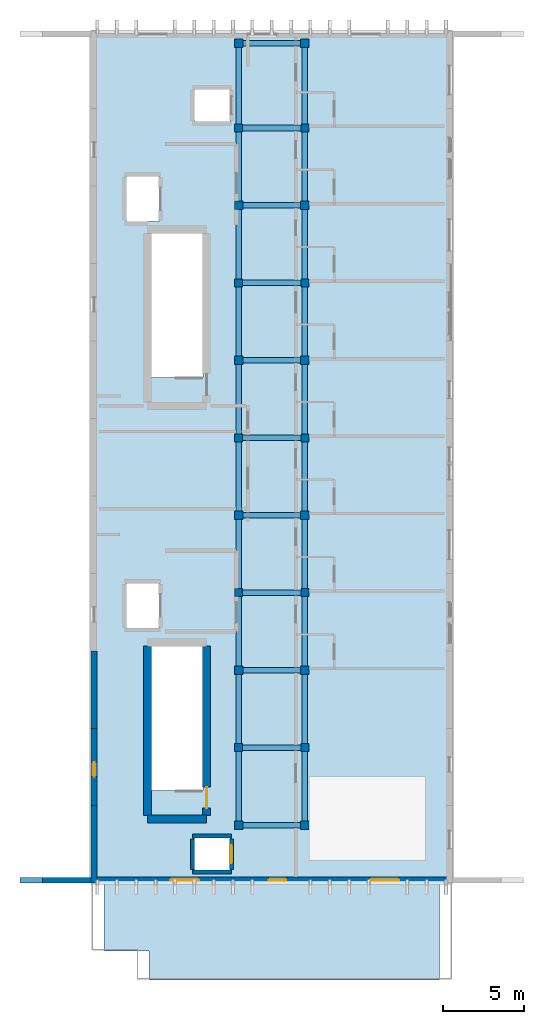
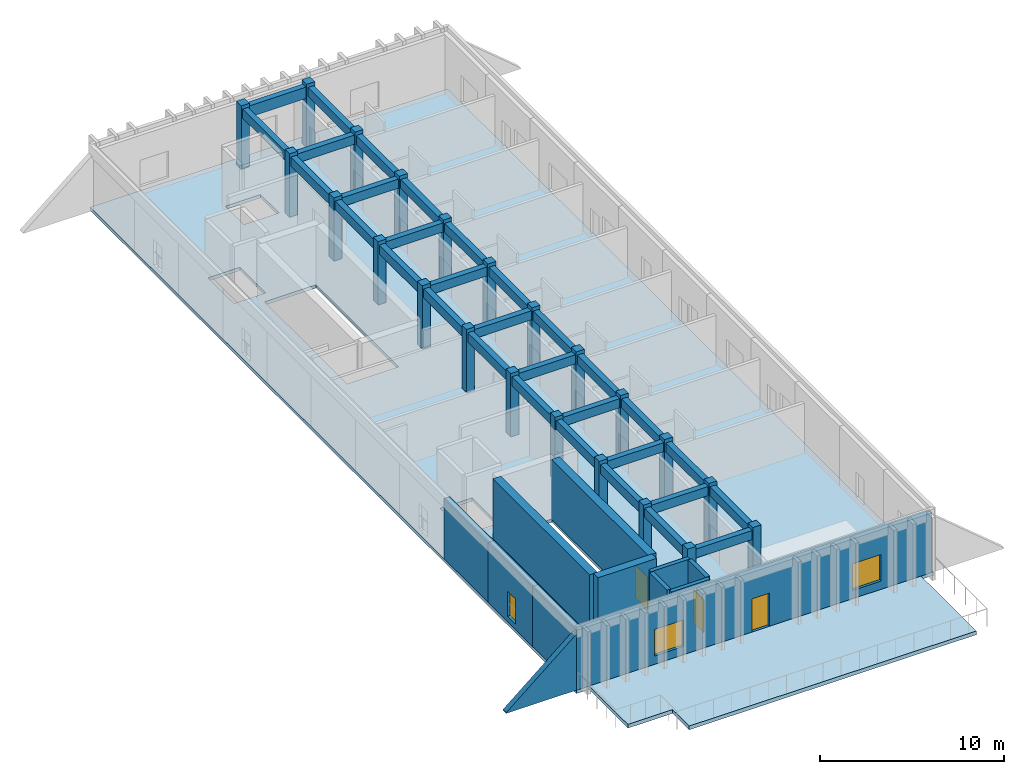
# One storey, part 1 of 7: 31 beams, 22 columns, 12 walls, 3 doors, 3 windows, 2 slabs, 6 openings.
"""IFC4 building model written with IfcOpenShell, lengths in metres."""

from ifc_helpers import new_model, si_unit, direction, frame, frame_2d, origin, origin_2d, place, context, subcontext, project, spatial, polyline, rectangle, outline, extrude, material, layer, layer_set, material_profile, profile_set, type_object, element, fill, save


model = new_model("IFC4")

# Units and contexts
model_context = context("Model", 3, precision=1e-05, world=origin(), true_north=direction((0.0, 1.0)))
body_context = subcontext(model_context, "Body", "Model", "MODEL_VIEW")
ifc_project = project(units=[si_unit("LENGTHUNIT", "METRE"), si_unit("AREAUNIT", "SQUARE_METRE"), si_unit("VOLUMEUNIT", "CUBIC_METRE"), si_unit("PLANEANGLEUNIT", "RADIAN"), si_unit("MASSUNIT", "GRAM", prefix="KILO")], contexts=[model_context])

# Site, building, storey
site_placement = place(None, origin())
site = spatial("IfcSite", under=ifc_project, at=site_placement, CompositionType="ELEMENT")
building_placement = place(site_placement, origin())
building = spatial("IfcBuilding", under=site, at=building_placement, Name="Nakhvara Creek Congress Hotel", CompositionType="ELEMENT")
storey_placement = place(building_placement, frame((0.0, 0.0, 50.39990234375)))
storey = spatial("IfcBuildingStorey", under=building, at=storey_placement, Name="L12", CompositionType="ELEMENT", Elevation=50.39990234375)

# Columns
ifc_material_1 = material(Name="Concrete C50/60", Category="concrete")
ifc_material_profile_1 = material_profile(ifc_material_1, rectangle(XDim=0.5, YDim=0.5, at=origin_2d()), Name="RC-COL 500x500", Category="LoadBearing")
ifc_profile_set_1 = profile_set([ifc_material_profile_1], Name="Concrete C50/60")
column_type_1 = type_object("IfcColumnType", Name="COL-RC-500", PredefinedType="COLUMN", material=ifc_profile_set_1)
for number, where, z_axis, x_axis, name in (
    (1, (162.35009765625, 81.60009765625, 0.0), (0.0, 0.0, 1.0), (1.0, 0.0, 0.0), "Column C10-L12-1939"),
    (2, (162.35009765625, 91.199951171875, 0.0), (0.0, 0.0, 1.0), (1.0, 0.0, 0.0), "Column C10-L12-1940"),
    (3, (162.35009765625, 100.800048828125, 0.0), (0.0, 0.0, 1.0), (1.0, 0.0, 0.0), "Column C10-L12-1941"),
    (4, (162.35009765625, 110.39990234375, 0.0), (0.0, 0.0, 1.0), (1.0, 0.0, 0.0), "Column C10-L12-1942"),
    (5, (162.35009765625, 120.0, 0.0), (0.0, 0.0, 1.0), (1.0, 0.0, 0.0), "Column C10-L12-1943"),
    (6, (166.449951171875, 81.60009765625, 0.0), (0.0, 0.0, 1.0), (1.0, 0.0, 0.0), "Column C10-L12-1944"),
    (7, (166.449951171875, 91.199951171875, 0.0), (0.0, 0.0, 1.0), (1.0, 0.0, 0.0), "Column C10-L12-1945"),
    (8, (166.449951171875, 100.800048828125, 0.0), (0.0, 0.0, 1.0), (1.0, 0.0, 0.0), "Column C10-L12-1946"),
    (9, (166.449951171875, 110.39990234375, 0.0), (0.0, 0.0, 1.0), (1.0, 0.0, 0.0), "Column C10-L12-1947"),
    (10, (166.449951171875, 120.0, 0.0), (0.0, 0.0, 1.0), (1.0, 0.0, 0.0), "Column C10-L12-1948"),
):
    element("IfcColumn", number, at=place(storey_placement, frame(where, z_axis=z_axis, x_axis=x_axis)), inside=storey, type_object=column_type_1, Name=name, PredefinedType="COLUMN", context=body_context, shape_type="SweptSolid", body=[
        extrude(rectangle(XDim=0.5, YDim=0.5, at=origin_2d()), origin(), (0.0, 0.0, 1.0), 4.2001953125),
    ])
ifc_material_profile_2 = material_profile(ifc_material_1, rectangle(XDim=0.52001953125, YDim=0.52001953125, at=origin_2d()), Name="RC-COL 520x520", Category="LoadBearing")
ifc_profile_set_2 = profile_set([ifc_material_profile_2], Name="Concrete C50/60")
column_type_2 = type_object("IfcColumnType", Name="COL-RC-520", PredefinedType="COLUMN", material=ifc_profile_set_2)
for number, where, z_axis, x_axis, name in (
    (11, (162.35009765625, 76.800048828125, 0.0), (0.0, 0.0, 1.0), (1.0, 0.0, 0.0), "Column C24-L12-1927"),
    (12, (162.35009765625, 86.39990234375, 0.0), (0.0, 0.0, 1.0), (1.0, 0.0, 0.0), "Column C24-L12-1928"),
    (13, (162.35009765625, 96.0, 0.0), (0.0, 0.0, 1.0), (1.0, 0.0, 0.0), "Column C24-L12-1929"),
    (14, (162.35009765625, 105.60009765625, 0.0), (0.0, 0.0, 1.0), (1.0, 0.0, 0.0), "Column C24-L12-1930"),
    (15, (162.35009765625, 115.199951171875, 0.0), (0.0, 0.0, 1.0), (1.0, 0.0, 0.0), "Column C24-L12-1931"),
    (16, (162.35009765625, 125.25, 0.0), (0.0, 0.0, 1.0), (1.0, 0.0, 0.0), "Column C24-L12-1932"),
    (17, (166.449951171875, 76.800048828125, 0.0), (0.0, 0.0, 1.0), (1.0, 0.0, 0.0), "Column C24-L12-1933"),
    (18, (166.449951171875, 86.39990234375, 0.0), (0.0, 0.0, 1.0), (1.0, 0.0, 0.0), "Column C24-L12-1934"),
    (19, (166.449951171875, 96.0, 0.0), (0.0, 0.0, 1.0), (1.0, 0.0, 0.0), "Column C24-L12-1935"),
    (20, (166.449951171875, 105.60009765625, 0.0), (0.0, 0.0, 1.0), (1.0, 0.0, 0.0), "Column C24-L12-1936"),
    (21, (166.449951171875, 115.199951171875, 0.0), (0.0, 0.0, 1.0), (1.0, 0.0, 0.0), "Column C24-L12-1937"),
    (22, (166.449951171875, 125.25, 0.0), (0.0, 0.0, 1.0), (1.0, 0.0, 0.0), "Column C24-L12-1938"),
):
    element("IfcColumn", number, at=place(storey_placement, frame(where, z_axis=z_axis, x_axis=x_axis)), inside=storey, type_object=column_type_2, Name=name, PredefinedType="COLUMN", context=body_context, shape_type="SweptSolid", body=[
        extrude(rectangle(XDim=0.52001953125, YDim=0.52001953125, at=origin_2d()), origin(), (0.0, 0.0, 1.0), 4.2001953125),
    ])

# Beams
ifc_material_2 = material(Name="Concrete C40/50", Category="concrete")
ifc_material_profile_3 = material_profile(ifc_material_2, rectangle(XDim=0.35009765625, YDim=0.60009765625, at=origin_2d()), Name="RC-BM 350x600", Category="LoadBearing")
ifc_profile_set_3 = profile_set([ifc_material_profile_3], Name="Concrete C40/50")
beam_type_1 = type_object("IfcBeamType", Name="BM-RC-350X600", PredefinedType="BEAM", material=ifc_profile_set_3)
beam_1_placement = place(storey_placement, frame((162.35009765625, 76.800048828125, 3.66015625), z_axis=(1.0, 0.0, 0.0), x_axis=(0.0, 1.0, 0.0)))
element("IfcBeam", 23, at=beam_1_placement, inside=storey, type_object=beam_type_1, Name="Beam B07-L12-2781", PredefinedType="BEAM", context=body_context, shape_type="SweptSolid", body=[
    extrude(rectangle(XDim=0.35009765625, YDim=0.60009765625, at=origin_2d()), origin(), (0.0, 0.0, 1.0), 4.099853515625),
])
beam_2_placement = place(storey_placement, frame((162.35009765625, 76.800048828125, 3.66015625), z_axis=(0.0, 1.0, 0.0), x_axis=(-1.0, 0.0, 0.0)))
element("IfcBeam", 24, at=beam_2_placement, inside=storey, type_object=beam_type_1, Name="Beam B07-L12-2782", PredefinedType="BEAM", context=body_context, shape_type="SweptSolid", body=[
    extrude(rectangle(XDim=0.35009765625, YDim=0.60009765625, at=origin_2d()), origin(), (0.0, 0.0, 1.0), 4.800048828125),
])
beam_3_placement = place(storey_placement, frame((162.35009765625, 86.39990234375, 3.66015625), z_axis=(1.0, 0.0, 0.0), x_axis=(0.0, 1.0, 0.0)))
element("IfcBeam", 25, at=beam_3_placement, inside=storey, type_object=beam_type_1, Name="Beam B07-L12-2783", PredefinedType="BEAM", context=body_context, shape_type="SweptSolid", body=[
    extrude(rectangle(XDim=0.35009765625, YDim=0.60009765625, at=origin_2d()), origin(), (0.0, 0.0, 1.0), 4.099853515625),
])
beam_4_placement = place(storey_placement, frame((162.35009765625, 81.60009765625, 3.66015625), z_axis=(0.0, 1.0, 0.0), x_axis=(-1.0, 0.0, 0.0)))
element("IfcBeam", 26, at=beam_4_placement, inside=storey, type_object=beam_type_1, Name="Beam B07-L12-2784", PredefinedType="BEAM", context=body_context, shape_type="SweptSolid", body=[
    extrude(rectangle(XDim=0.35009765625, YDim=0.60009765625, at=origin_2d()), origin(), (0.0, 0.0, 1.0), 4.7998046875),
])
beam_5_placement = place(storey_placement, frame((162.35009765625, 86.39990234375, 3.66015625), z_axis=(0.0, 1.0, 0.0), x_axis=(-1.0, 0.0, 0.0)))
element("IfcBeam", 27, at=beam_5_placement, inside=storey, type_object=beam_type_1, Name="Beam B07-L12-2785", PredefinedType="BEAM", context=body_context, shape_type="SweptSolid", body=[
    extrude(rectangle(XDim=0.35009765625, YDim=0.60009765625, at=origin_2d()), origin(), (0.0, 0.0, 1.0), 4.800048828125),
])
beam_6_placement = place(storey_placement, frame((162.35009765625, 96.0, 3.66015625), z_axis=(1.0, 0.0, 0.0), x_axis=(0.0, 1.0, 0.0)))
element("IfcBeam", 28, at=beam_6_placement, inside=storey, type_object=beam_type_1, Name="Beam B07-L12-2786", PredefinedType="BEAM", context=body_context, shape_type="SweptSolid", body=[
    extrude(rectangle(XDim=0.35009765625, YDim=0.60009765625, at=origin_2d()), origin(), (0.0, 0.0, 1.0), 4.099853515625),
])
for number, where, z_axis, x_axis, name in (
    (29, (162.35009765625, 91.199951171875, 3.66015625), (0.0, 1.0, 0.0), (-1.0, 0.0, 0.0), "Beam B07-L12-2787"),
    (30, (162.35009765625, 96.0, 3.66015625), (0.0, 1.0, 0.0), (-1.0, 0.0, 0.0), "Beam B07-L12-2788"),
):
    element("IfcBeam", number, at=place(storey_placement, frame(where, z_axis=z_axis, x_axis=x_axis)), inside=storey, type_object=beam_type_1, Name=name, PredefinedType="BEAM", context=body_context, shape_type="SweptSolid", body=[
        extrude(rectangle(XDim=0.35009765625, YDim=0.60009765625, at=origin_2d()), origin(), (0.0, 0.0, 1.0), 4.800048828125),
    ])
beam_7_placement = place(storey_placement, frame((162.35009765625, 105.60009765625, 3.66015625), z_axis=(1.0, 0.0, 0.0), x_axis=(0.0, 1.0, 0.0)))
element("IfcBeam", 31, at=beam_7_placement, inside=storey, type_object=beam_type_1, Name="Beam B07-L12-2789", PredefinedType="BEAM", context=body_context, shape_type="SweptSolid", body=[
    extrude(rectangle(XDim=0.35009765625, YDim=0.60009765625, at=origin_2d()), origin(), (0.0, 0.0, 1.0), 4.099853515625),
])
beam_8_placement = place(storey_placement, frame((162.35009765625, 100.800048828125, 3.66015625), z_axis=(0.0, 1.0, 0.0), x_axis=(-1.0, 0.0, 0.0)))
element("IfcBeam", 32, at=beam_8_placement, inside=storey, type_object=beam_type_1, Name="Beam B07-L12-2790", PredefinedType="BEAM", context=body_context, shape_type="SweptSolid", body=[
    extrude(rectangle(XDim=0.35009765625, YDim=0.60009765625, at=origin_2d()), origin(), (0.0, 0.0, 1.0), 4.800048828125),
])
beam_9_placement = place(storey_placement, frame((162.35009765625, 105.60009765625, 3.66015625), z_axis=(0.0, 1.0, 0.0), x_axis=(-1.0, 0.0, 0.0)))
element("IfcBeam", 33, at=beam_9_placement, inside=storey, type_object=beam_type_1, Name="Beam B07-L12-2791", PredefinedType="BEAM", context=body_context, shape_type="SweptSolid", body=[
    extrude(rectangle(XDim=0.35009765625, YDim=0.60009765625, at=origin_2d()), origin(), (0.0, 0.0, 1.0), 4.7998046875),
])
beam_10_placement = place(storey_placement, frame((162.35009765625, 115.199951171875, 3.66015625), z_axis=(1.0, 0.0, 0.0), x_axis=(0.0, 1.0, 0.0)))
element("IfcBeam", 34, at=beam_10_placement, inside=storey, type_object=beam_type_1, Name="Beam B07-L12-2792", PredefinedType="BEAM", context=body_context, shape_type="SweptSolid", body=[
    extrude(rectangle(XDim=0.35009765625, YDim=0.60009765625, at=origin_2d()), origin(), (0.0, 0.0, 1.0), 4.099853515625),
])
for number, where, z_axis, x_axis, name in (
    (35, (162.35009765625, 110.39990234375, 3.66015625), (0.0, 1.0, 0.0), (-1.0, 0.0, 0.0), "Beam B07-L12-2793"),
    (36, (162.35009765625, 115.199951171875, 3.66015625), (0.0, 1.0, 0.0), (-1.0, 0.0, 0.0), "Beam B07-L12-2794"),
):
    element("IfcBeam", number, at=place(storey_placement, frame(where, z_axis=z_axis, x_axis=x_axis)), inside=storey, type_object=beam_type_1, Name=name, PredefinedType="BEAM", context=body_context, shape_type="SweptSolid", body=[
        extrude(rectangle(XDim=0.35009765625, YDim=0.60009765625, at=origin_2d()), origin(), (0.0, 0.0, 1.0), 4.800048828125),
    ])
beam_11_placement = place(storey_placement, frame((162.35009765625, 120.0, 3.66015625), z_axis=(0.0, 1.0, 0.0), x_axis=(-1.0, 0.0, 0.0)))
element("IfcBeam", 37, at=beam_11_placement, inside=storey, type_object=beam_type_1, Name="Beam B07-L12-2796", PredefinedType="BEAM", context=body_context, shape_type="SweptSolid", body=[
    extrude(rectangle(XDim=0.35009765625, YDim=0.60009765625, at=origin_2d()), origin(), (0.0, 0.0, 1.0), 5.25),
])
beam_12_placement = place(storey_placement, frame((166.449951171875, 76.800048828125, 3.66015625), z_axis=(0.0, 1.0, 0.0), x_axis=(-1.0, 0.0, 0.0)))
element("IfcBeam", 38, at=beam_12_placement, inside=storey, type_object=beam_type_1, Name="Beam B07-L12-2797", PredefinedType="BEAM", context=body_context, shape_type="SweptSolid", body=[
    extrude(rectangle(XDim=0.35009765625, YDim=0.60009765625, at=origin_2d()), origin(), (0.0, 0.0, 1.0), 4.800048828125),
])
beam_13_placement = place(storey_placement, frame((166.449951171875, 81.60009765625, 3.66015625), z_axis=(0.0, 1.0, 0.0), x_axis=(-1.0, 0.0, 0.0)))
element("IfcBeam", 39, at=beam_13_placement, inside=storey, type_object=beam_type_1, Name="Beam B07-L12-2798", PredefinedType="BEAM", context=body_context, shape_type="SweptSolid", body=[
    extrude(rectangle(XDim=0.35009765625, YDim=0.60009765625, at=origin_2d()), origin(), (0.0, 0.0, 1.0), 4.7998046875),
])
for number, where, z_axis, x_axis, name in (
    (40, (166.449951171875, 86.39990234375, 3.66015625), (0.0, 1.0, 0.0), (-1.0, 0.0, 0.0), "Beam B07-L12-2799"),
    (41, (166.449951171875, 91.199951171875, 3.66015625), (0.0, 1.0, 0.0), (-1.0, 0.0, 0.0), "Beam B07-L12-2800"),
    (42, (166.449951171875, 96.0, 3.66015625), (0.0, 1.0, 0.0), (-1.0, 0.0, 0.0), "Beam B07-L12-2801"),
    (43, (166.449951171875, 100.800048828125, 3.66015625), (0.0, 1.0, 0.0), (-1.0, 0.0, 0.0), "Beam B07-L12-2802"),
):
    element("IfcBeam", number, at=place(storey_placement, frame(where, z_axis=z_axis, x_axis=x_axis)), inside=storey, type_object=beam_type_1, Name=name, PredefinedType="BEAM", context=body_context, shape_type="SweptSolid", body=[
        extrude(rectangle(XDim=0.35009765625, YDim=0.60009765625, at=origin_2d()), origin(), (0.0, 0.0, 1.0), 4.800048828125),
    ])
beam_14_placement = place(storey_placement, frame((166.449951171875, 105.60009765625, 3.66015625), z_axis=(0.0, 1.0, 0.0), x_axis=(-1.0, 0.0, 0.0)))
element("IfcBeam", 44, at=beam_14_placement, inside=storey, type_object=beam_type_1, Name="Beam B07-L12-2803", PredefinedType="BEAM", context=body_context, shape_type="SweptSolid", body=[
    extrude(rectangle(XDim=0.35009765625, YDim=0.60009765625, at=origin_2d()), origin(), (0.0, 0.0, 1.0), 4.7998046875),
])
for number, where, z_axis, x_axis, name in (
    (45, (166.449951171875, 110.39990234375, 3.66015625), (0.0, 1.0, 0.0), (-1.0, 0.0, 0.0), "Beam B07-L12-2804"),
    (46, (166.449951171875, 115.199951171875, 3.66015625), (0.0, 1.0, 0.0), (-1.0, 0.0, 0.0), "Beam B07-L12-2805"),
):
    element("IfcBeam", number, at=place(storey_placement, frame(where, z_axis=z_axis, x_axis=x_axis)), inside=storey, type_object=beam_type_1, Name=name, PredefinedType="BEAM", context=body_context, shape_type="SweptSolid", body=[
        extrude(rectangle(XDim=0.35009765625, YDim=0.60009765625, at=origin_2d()), origin(), (0.0, 0.0, 1.0), 4.800048828125),
    ])
beam_15_placement = place(storey_placement, frame((166.449951171875, 120.0, 3.66015625), z_axis=(0.0, 1.0, 0.0), x_axis=(-1.0, 0.0, 0.0)))
element("IfcBeam", 47, at=beam_15_placement, inside=storey, type_object=beam_type_1, Name="Beam B07-L12-2806", PredefinedType="BEAM", context=body_context, shape_type="SweptSolid", body=[
    extrude(rectangle(XDim=0.35009765625, YDim=0.60009765625, at=origin_2d()), origin(), (0.0, 0.0, 1.0), 5.25),
])
for number, where, z_axis, x_axis, name in (
    (48, (162.35009765625, 81.60009765625, 3.66015625), (1.0, 0.0, 0.0), (0.0, 1.0, 0.0), "Beam B07-L12-2807"),
    (49, (162.35009765625, 91.199951171875, 3.66015625), (1.0, 0.0, 0.0), (0.0, 1.0, 0.0), "Beam B07-L12-2808"),
    (50, (162.35009765625, 100.800048828125, 3.66015625), (1.0, 0.0, 0.0), (0.0, 1.0, 0.0), "Beam B07-L12-2809"),
    (51, (162.35009765625, 110.39990234375, 3.66015625), (1.0, 0.0, 0.0), (0.0, 1.0, 0.0), "Beam B07-L12-2810"),
    (52, (162.35009765625, 120.0, 3.66015625), (1.0, 0.0, 0.0), (0.0, 1.0, 0.0), "Beam B07-L12-2811"),
):
    element("IfcBeam", number, at=place(storey_placement, frame(where, z_axis=z_axis, x_axis=x_axis)), inside=storey, type_object=beam_type_1, Name=name, PredefinedType="BEAM", context=body_context, shape_type="SweptSolid", body=[
        extrude(rectangle(XDim=0.35009765625, YDim=0.60009765625, at=origin_2d()), origin(), (0.0, 0.0, 1.0), 4.099853515625),
    ])
ifc_material_profile_4 = material_profile(ifc_material_2, rectangle(XDim=0.35009765625, YDim=0.75, at=origin_2d()), Name="RC-SPANDREL 350x750", Category="LoadBearing")
ifc_profile_set_4 = profile_set([ifc_material_profile_4], Name="Concrete C40/50")
beam_type_2 = type_object("IfcBeamType", Name="BM-SPN-350X750", PredefinedType="SPANDREL", material=ifc_profile_set_4)
beam_16_placement = place(storey_placement, frame((162.35009765625, 125.25, 3.585205078125), z_axis=(1.0, 0.0, 0.0), x_axis=(0.0, 1.0, 0.0)))
element("IfcBeam", 53, at=beam_16_placement, inside=storey, type_object=beam_type_2, Name="Beam SP1-L12-2795", PredefinedType="SPANDREL", context=body_context, shape_type="SweptSolid", body=[
    extrude(rectangle(XDim=0.35009765625, YDim=0.75, at=origin_2d()), origin(), (0.0, 0.0, 1.0), 4.099853515625),
])

# Slabs
ifc_layer_1 = layer(ifc_material_2, 0.25)
ifc_layer_set_1 = layer_set([ifc_layer_1], Name="Concrete C40/50")
slab_type_1 = type_object("IfcSlabType", Name="SL-EXT-250", PredefinedType="FLOOR", material=ifc_layer_set_1)
slab_1_placement = place(storey_placement, frame((0.0, 0.0, -0.25)))
element("IfcSlab", 54, at=slab_1_placement, inside=storey, type_object=slab_type_1, Name="Outdoor Terrace Slab SLB-L12-TER-S", PredefinedType="FLOOR", context=body_context, shape_type="SweptSolid", body=[
    extrude(outline(polyline([(156.800048828125, 67.199951171875), (174.800048828125, 67.199951171875), (174.800048828125, 73.199951171875), (154.0, 73.199951171875), (154.0, 69.0), (156.800048828125, 69.0), (156.800048828125, 67.199951171875)])), origin(), (0.0, 0.0, 1.0), 0.25),
])
ifc_layer_2 = layer(ifc_material_2, 0.219970703125)
ifc_layer_set_2 = layer_set([ifc_layer_2], Name="Concrete C40/50")
slab_type_2 = type_object("IfcSlabType", Name="SL-FLR-220", PredefinedType="FLOOR", material=ifc_layer_set_2)
slab_2_placement = place(storey_placement, frame((0.0, 0.0, -0.219970703125)))
element("IfcSlab", 55, at=slab_2_placement, inside=storey, type_object=slab_type_2, Name="Structural Slab SLB-L12-V5", PredefinedType="FLOOR", context=body_context, shape_type="SweptSolid", body=[
    extrude(outline(polyline([(153.199951171875, 126.0), (175.60009765625, 126.0), (175.60009765625, 73.199951171875), (153.199951171875, 73.199951171875), (153.199951171875, 126.0)]), holes=[polyline([(161.800048828125, 76.0), (159.60009765625, 76.0), (159.60009765625, 74.0), (161.800048828125, 74.0), (161.800048828125, 76.0)]), polyline([(160.14990234375, 87.89990234375), (156.919921875, 87.89990234375), (156.919921875, 78.93994140625), (160.14990234375, 78.93994140625), (160.14990234375, 87.89990234375)]), polyline([(157.39990234375, 89.0), (157.39990234375, 91.800048828125), (155.39990234375, 91.800048828125), (155.39990234375, 89.0), (157.39990234375, 89.0)]), polyline([(156.919921875, 113.5), (156.919921875, 104.5400390625), (160.14990234375, 104.5400390625), (160.14990234375, 113.5), (156.919921875, 113.5)]), polyline([(157.39990234375, 114.199951171875), (157.39990234375, 117.0), (155.39990234375, 117.0), (155.39990234375, 114.199951171875), (157.39990234375, 114.199951171875)]), polyline([(161.800048828125, 120.39990234375), (161.800048828125, 122.39990234375), (159.60009765625, 122.39990234375), (159.60009765625, 120.39990234375), (161.800048828125, 120.39990234375)])]), origin(), (0.0, 0.0, 1.0), 0.219970703125),
])

# Walls
ifc_layer_3 = layer(ifc_material_1, 0.5)
ifc_layer_set_3 = layer_set([ifc_layer_3], Name="Concrete C50/60")
wall_type_1 = type_object("IfcWallType", Name="W-CORE-500", PredefinedType="SHEAR", material=ifc_layer_set_3)
wall_1_placement = place(storey_placement, frame((156.699951171875, 77.179931640625, 0.0), z_axis=(0.0, 0.0, 1.0), x_axis=(1.0, 0.0, 0.0)))
element("IfcWall", 56, at=wall_1_placement, inside=storey, type_object=wall_type_1, Name="Core Shear Wall WS01-CWALL-L12-0253", PredefinedType="SHEAR", context=body_context, shape_type="SweptSolid", body=[
    extrude(rectangle(XDim=3.670166015625, YDim=0.5, at=frame_2d((1.8349609375, 0.0))), origin(), (0.0, 0.0, 1.0), 3.960205078125),
])
wall_2_placement = place(storey_placement, frame((156.699951171875, 77.39990234375, 0.0), z_axis=(0.0, 0.0, 1.0), x_axis=(0.0, 1.0, 0.0)))
element("IfcWall", 57, at=wall_2_placement, inside=storey, type_object=wall_type_1, Name="Core Shear Wall WS01-CWALL-L12-0255", PredefinedType="SHEAR", context=body_context, shape_type="SweptSolid", body=[
    extrude(rectangle(XDim=10.5, YDim=0.5, at=frame_2d((5.25, 0.0))), origin(), (0.0, 0.0, 1.0), 3.960205078125),
])

# Wall, opening, door
wall_3_placement = place(storey_placement, frame((160.3701171875, 77.39990234375, 0.0), z_axis=(0.0, 0.0, 1.0), x_axis=(0.0, 1.0, 0.0)))
wall_3 = element("IfcWall", 58, at=wall_3_placement, inside=storey, type_object=wall_type_1, Name="Core Shear Wall WS01-CWALL-L12-0256", PredefinedType="SHEAR", context=body_context, shape_type="SweptSolid", body=[
    extrude(rectangle(XDim=10.5, YDim=0.5, at=frame_2d((5.25, 0.0))), origin(), (0.0, 0.0, 1.0), 3.960205078125),
])
opening_1_placement = place(wall_3_placement, frame((0.449951171875, 0.0, 0.0)))
opening_1 = element("IfcOpeningElement", 59, at=opening_1_placement, cuts=wall_3, Name="Opening FD04", PredefinedType="OPENING", context=body_context, shape_type="SweptSolid", body=[
    extrude(rectangle(XDim=1.300048828125, YDim=2.14990234375, at=frame_2d((0.64990234375, 1.074951171875))), frame((0.0, 0.261962890625, 0.0), z_axis=(0.0, -1.0, 0.0), x_axis=(1.0, 0.0, 0.0)), (0.0, 0.0, 1.0), 0.52392578125),
])
ifc_material_3 = material(Name="Powder-coated steel fire door", Category="steel")
door_type_1 = type_object("IfcDoorType", Name="DT-STAIR-130", OperationType="NOTDEFINED", PredefinedType="DOOR", material=ifc_material_3)
door_1_placement = place(opening_1_placement, frame((1.300048828125, 0.0, 0.0), z_axis=(0.0, 0.0, 1.0), x_axis=(-1.0, 0.0, 0.0)))
door_1 = element("IfcDoor", 60, at=door_1_placement, inside=storey, type_object=door_type_1, Name="Stair Exit Door ST01-L12", OperationType="SINGLE_SWING_LEFT", OverallHeight=2.14990234375, OverallWidth=1.300048828125, PredefinedType="DOOR", context=body_context, shape_type="SweptSolid", body=[
    extrude(rectangle(XDim=1.300048828125, YDim=2.14990234375, at=frame_2d((0.64990234375, 1.074951171875))), frame((0.0, 0.02490234375, 0.0), z_axis=(0.0, -1.0, 0.0), x_axis=(1.0, 0.0, 0.0)), (0.0, 0.0, 1.0), 0.050048828125),
])
fill(opening_1, door_1)

# Wall, openings, door, windows
ifc_material_4 = material(Name="Honed pale Omani limestone cladding", Category="masonry")
ifc_layer_4 = layer(ifc_material_4, 0.050048828125)
ifc_material_5 = material(Name="Mineral wool thermal insulation")
ifc_layer_5 = layer(ifc_material_5, 0.110107421875)
ifc_material_6 = material(Name="Precast concrete C40/50", Category="concrete")
ifc_layer_6 = layer(ifc_material_6, 0.219970703125)
ifc_layer_set_4 = layer_set([ifc_layer_4, ifc_layer_5, ifc_layer_6], Name="Precast concrete C40/50")
wall_type_2 = type_object("IfcWallType", Name="W-EXT-380", PredefinedType="SOLIDWALL", material=ifc_layer_set_4)
wall_4_placement = place(storey_placement, frame((175.5, 73.389892578125, 0.0), z_axis=(0.0, 0.0, 1.0), x_axis=(-1.0, 0.0, 0.0)))
wall_4 = element("IfcWall", 61, at=wall_4_placement, inside=storey, type_object=wall_type_2, Name="Exterior Wall WE03-EW-L12-0232", PredefinedType="SOLIDWALL", context=body_context, shape_type="SweptSolid", body=[
    extrude(rectangle(XDim=22.199951171875, YDim=0.3798828125, at=frame_2d((11.10009765625, 0.0))), origin(), (0.0, 0.0, 1.0), 3.960205078125),
])
opening_2_placement = place(wall_4_placement, frame((10.199951171875, 0.0, 0.0)))
opening_2 = element("IfcOpeningElement", 62, at=opening_2_placement, cuts=wall_4, Name="Opening TDL12S", PredefinedType="OPENING", context=body_context, shape_type="SweptSolid", body=[
    extrude(rectangle(XDim=1.10009765625, YDim=2.199951171875, at=frame_2d((0.550048828125, 1.10009765625))), frame((0.0, 0.201904296875, 0.0), z_axis=(0.0, -1.0, 0.0), x_axis=(1.0, 0.0, 0.0)), (0.0, 0.0, 1.0), 0.40380859375),
])
opening_3_placement = place(wall_4_placement, frame((3.199951171875, 0.0, 0.550048828125)))
opening_3 = element("IfcOpeningElement", 63, at=opening_3_placement, cuts=wall_4, Name="Opening WN0256", PredefinedType="OPENING", context=body_context, shape_type="SweptSolid", body=[
    extrude(rectangle(XDim=1.800048828125, YDim=1.760009765625, at=frame_2d((0.89990234375, 0.8798828125))), frame((0.0, 0.201904296875, 0.0), z_axis=(0.0, -1.0, 0.0), x_axis=(1.0, 0.0, 0.0)), (0.0, 0.0, 1.0), 0.40380859375),
])
opening_4_placement = place(wall_4_placement, frame((15.60009765625, 0.0, 0.550048828125)))
opening_4 = element("IfcOpeningElement", 64, at=opening_4_placement, cuts=wall_4, Name="Opening WN0257", PredefinedType="OPENING", context=body_context, shape_type="SweptSolid", body=[
    extrude(rectangle(XDim=1.800048828125, YDim=1.760009765625, at=frame_2d((0.89990234375, 0.8798828125))), frame((0.0, 0.201904296875, 0.0), z_axis=(0.0, -1.0, 0.0), x_axis=(1.0, 0.0, 0.0)), (0.0, 0.0, 1.0), 0.40380859375),
])
ifc_material_7 = material(Name="Bronze-anodised aluminium and laminated low-E glass", Category="aluminium")
door_type_2 = type_object("IfcDoorType", Name="DT-EXT-TER110", OperationType="NOTDEFINED", PredefinedType="DOOR", material=ifc_material_7)
door_2_placement = place(opening_2_placement, origin())
door_2 = element("IfcDoor", 65, at=door_2_placement, inside=storey, type_object=door_type_2, Name="Creekside Setback Terrace Door TDL12S", OperationType="SINGLE_SWING_LEFT", OverallHeight=2.199951171875, OverallWidth=1.10009765625, PredefinedType="DOOR", context=body_context, shape_type="SweptSolid", body=[
    extrude(rectangle(XDim=1.10009765625, YDim=2.199951171875, at=frame_2d((0.550048828125, 1.10009765625))), frame((0.0, 0.02490234375, 0.0), z_axis=(0.0, -1.0, 0.0), x_axis=(1.0, 0.0, 0.0)), (0.0, 0.0, 1.0), 0.050048828125),
])
fill(opening_2, door_2)
ifc_material_8 = material(Name="Thermally broken bronze-anodised aluminium and double-silver low-E insulated glass", Category="aluminium")
window_type_1 = type_object("IfcWindowType", Name="WN-LAN-180X225", PartitioningType="SINGLE_PANEL", PredefinedType="WINDOW", material=ifc_material_8)
window_1_placement = place(opening_3_placement, origin())
window_1 = element("IfcWindow", 66, at=window_1_placement, inside=storey, type_object=window_type_1, Name="Facade Window WN0256", OverallHeight=1.760009765625, OverallWidth=1.800048828125, PartitioningType="SINGLE_PANEL", PredefinedType="WINDOW", context=body_context, shape_type="SweptSolid", body=[
    extrude(rectangle(XDim=1.800048828125, YDim=1.760009765625, at=frame_2d((0.89990234375, 0.8798828125))), frame((0.0, 0.030029296875, 0.0), z_axis=(0.0, -1.0, 0.0), x_axis=(1.0, 0.0, 0.0)), (0.0, 0.0, 1.0), 0.06005859375),
])
fill(opening_3, window_1)
window_2_placement = place(opening_4_placement, origin())
window_2 = element("IfcWindow", 67, at=window_2_placement, inside=storey, type_object=window_type_1, Name="Facade Window WN0257", OverallHeight=1.760009765625, OverallWidth=1.800048828125, PartitioningType="SINGLE_PANEL", PredefinedType="WINDOW", context=body_context, shape_type="SweptSolid", body=[
    extrude(rectangle(XDim=1.800048828125, YDim=1.760009765625, at=frame_2d((0.89990234375, 0.8798828125))), frame((0.0, 0.030029296875, 0.0), z_axis=(0.0, -1.0, 0.0), x_axis=(1.0, 0.0, 0.0)), (0.0, 0.0, 1.0), 0.06005859375),
])
fill(opening_4, window_2)

# Wall
wall_5_placement = place(storey_placement, frame((153.389892578125, 73.199951171875, 0.0), z_axis=(0.0, 0.0, 1.0), x_axis=(0.0, 1.0, 0.0)))
element("IfcWall", 68, at=wall_5_placement, inside=storey, type_object=wall_type_2, Name="Exterior Wall WE03-EW-L12-0234", PredefinedType="SOLIDWALL", context=body_context, shape_type="SweptSolid", body=[
    extrude(rectangle(XDim=4.800048828125, YDim=0.3798828125, at=frame_2d((2.39990234375, 0.0))), origin(), (0.0, 0.0, 1.0), 3.960205078125),
])

# Wall, opening, window
wall_6_placement = place(storey_placement, frame((153.389892578125, 78.0, 0.0), z_axis=(0.0, 0.0, 1.0), x_axis=(0.0, 1.0, 0.0)))
wall_6 = element("IfcWall", 69, at=wall_6_placement, inside=storey, type_object=wall_type_2, Name="Exterior Wall WE03-EW-L12-0236", PredefinedType="SOLIDWALL", context=body_context, shape_type="SweptSolid", body=[
    extrude(rectangle(XDim=4.800048828125, YDim=0.3798828125, at=frame_2d((2.39990234375, 0.0))), origin(), (0.0, 0.0, 1.0), 3.960205078125),
])
opening_5_placement = place(wall_6_placement, frame((1.800048828125, 0.0, 0.35009765625)))
opening_5 = element("IfcOpeningElement", 70, at=opening_5_placement, cuts=wall_6, Name="Opening WN0259", PredefinedType="OPENING", context=body_context, shape_type="SweptSolid", body=[
    extrude(rectangle(XDim=0.89990234375, YDim=1.679931640625, at=frame_2d((0.449951171875, 0.83984375))), frame((0.0, 0.201904296875, 0.0), z_axis=(0.0, -1.0, 0.0), x_axis=(1.0, 0.0, 0.0)), (0.0, 0.0, 1.0), 0.40380859375),
])
window_type_2 = type_object("IfcWindowType", Name="WN-LAN-090X210", PartitioningType="SINGLE_PANEL", PredefinedType="WINDOW", material=ifc_material_8)
window_3_placement = place(opening_5_placement, origin())
window_3 = element("IfcWindow", 71, at=window_3_placement, inside=storey, type_object=window_type_2, Name="Facade Window WN0259", OverallHeight=1.679931640625, OverallWidth=0.89990234375, PartitioningType="SINGLE_PANEL", PredefinedType="WINDOW", context=body_context, shape_type="SweptSolid", body=[
    extrude(rectangle(XDim=0.89990234375, YDim=1.679931640625, at=frame_2d((0.449951171875, 0.83984375))), frame((0.0, 0.030029296875, 0.0), z_axis=(0.0, -1.0, 0.0), x_axis=(1.0, 0.0, 0.0)), (0.0, 0.0, 1.0), 0.06005859375),
])
fill(opening_5, window_3)

# Walls
wall_7_placement = place(storey_placement, frame((153.389892578125, 82.800048828125, 0.0), z_axis=(0.0, 0.0, 1.0), x_axis=(0.0, 1.0, 0.0)))
element("IfcWall", 72, at=wall_7_placement, inside=storey, type_object=wall_type_2, Name="Exterior Wall WE03-EW-L12-0238", PredefinedType="SOLIDWALL", context=body_context, shape_type="SweptSolid", body=[
    extrude(rectangle(XDim=4.800048828125, YDim=0.3798828125, at=frame_2d((2.39990234375, 0.0))), origin(), (0.0, 0.0, 1.0), 3.960205078125),
])
ifc_layer_7 = layer(ifc_material_4, 0.050048828125)
ifc_layer_8 = layer(ifc_material_5, 0.110107421875)
ifc_layer_9 = layer(ifc_material_6, 0.199951171875)
ifc_layer_set_5 = layer_set([ifc_layer_7, ifc_layer_8, ifc_layer_9], Name="Precast concrete C40/50")
wall_type_3 = type_object("IfcWallType", Name="W-GABLE-360", PredefinedType="SOLIDWALL", material=ifc_layer_set_5)
wall_8_placement = place(storey_placement, frame((148.800048828125, 73.3798828125, 0.0), z_axis=(0.0, 0.0, 1.0), x_axis=(1.0, 0.0, 0.0)))
element("IfcWall", 73, at=wall_8_placement, inside=storey, type_object=wall_type_3, Name="Exterior Wall WE05-EW-L12-0255", PredefinedType="SOLIDWALL", context=body_context, shape_type="SweptSolid", body=[
    extrude(outline(polyline([(0.0, 0.0), (4.39990234375, 0.0), (4.39990234375, 3.72314453125), (0.0, 0.050048828125), (0.0, 0.0)])), frame((0.0, 0.18017578125, 0.0), z_axis=(0.0, -1.0, 0.0), x_axis=(1.0, 0.0, 0.0)), (0.0, 0.0, 1.0), 0.360107421875),
])
ifc_layer_10 = layer(ifc_material_2, 0.25)
ifc_layer_set_6 = layer_set([ifc_layer_10], Name="Concrete C40/50")
wall_type_4 = type_object("IfcWallType", Name="W-SHAFT-250", PredefinedType="SOLIDWALL", material=ifc_layer_set_6)
for number, where, z_axis, x_axis, name in (
    (74, (159.489990234375, 73.889892578125, 0.0), (0.0, 0.0, 1.0), (1.0, 0.0, 0.0), "Core Shear Wall WI02-CWALL-L12-0261"),
    (75, (159.489990234375, 76.110107421875, 0.0), (0.0, 0.0, 1.0), (1.0, 0.0, 0.0), "Core Shear Wall WI02-CWALL-L12-0262"),
):
    element("IfcWall", number, at=place(storey_placement, frame(where, z_axis=z_axis, x_axis=x_axis)), inside=storey, type_object=wall_type_4, Name=name, PredefinedType="SOLIDWALL", context=body_context, shape_type="SweptSolid", body=[
        extrude(rectangle(XDim=2.419921875, YDim=0.25, at=frame_2d((1.2099609375, 0.0))), origin(), (0.0, 0.0, 1.0), 3.960205078125),
    ])
wall_9_placement = place(storey_placement, frame((159.489990234375, 74.050048828125, 0.0), z_axis=(0.0, 0.0, 1.0), x_axis=(0.0, 1.0, 0.0)))
element("IfcWall", 76, at=wall_9_placement, inside=storey, type_object=wall_type_4, Name="Core Shear Wall WI02-CWALL-L12-0263", PredefinedType="SOLIDWALL", context=body_context, shape_type="SweptSolid", body=[
    extrude(rectangle(XDim=1.89990234375, YDim=0.25, at=frame_2d((0.949951171875, 0.0))), origin(), (0.0, 0.0, 1.0), 3.960205078125),
])

# Wall, opening, door
wall_10_placement = place(storey_placement, frame((161.909912109375, 74.050048828125, 0.0), z_axis=(0.0, 0.0, 1.0), x_axis=(0.0, 1.0, 0.0)))
wall_10 = element("IfcWall", 77, at=wall_10_placement, inside=storey, type_object=wall_type_4, Name="Core Shear Wall WI02-CWALL-L12-0264", PredefinedType="SOLIDWALL", context=body_context, shape_type="SweptSolid", body=[
    extrude(rectangle(XDim=1.89990234375, YDim=0.25, at=frame_2d((0.949951171875, 0.0))), origin(), (0.0, 0.0, 1.0), 3.960205078125),
])
opening_6_placement = place(wall_10_placement, frame((0.39990234375, 0.0, 0.0)))
opening_6 = element("IfcOpeningElement", 78, at=opening_6_placement, cuts=wall_10, Name="Opening LD01", PredefinedType="OPENING", context=body_context, shape_type="SweptSolid", body=[
    extrude(rectangle(XDim=1.10009765625, YDim=2.199951171875, at=frame_2d((0.550048828125, 1.10009765625))), frame((0.0, 0.136962890625, 0.0), z_axis=(0.0, -1.0, 0.0), x_axis=(1.0, 0.0, 0.0)), (0.0, 0.0, 1.0), 0.27392578125),
])
ifc_material_9 = material(Name="Brushed stainless steel sliding landing door", Category="steel")
door_type_3 = type_object("IfcDoorType", Name="DT-LIFT-110", OperationType="DOUBLE_DOOR_SLIDING", PredefinedType="DOOR", material=ifc_material_9)
door_3_placement = place(opening_6_placement, origin())
door_3 = element("IfcDoor", 79, at=door_3_placement, inside=storey, type_object=door_type_3, Name="Landing Door PL02-L12", OperationType="SLIDING_TO_LEFT", OverallHeight=2.199951171875, OverallWidth=1.10009765625, PredefinedType="DOOR", context=body_context, shape_type="SweptSolid", body=[
    extrude(rectangle(XDim=1.10009765625, YDim=2.199951171875, at=frame_2d((0.550048828125, 1.10009765625))), frame((0.0, 0.02490234375, 0.0), z_axis=(0.0, -1.0, 0.0), x_axis=(1.0, 0.0, 0.0)), (0.0, 0.0, 1.0), 0.050048828125),
])
fill(opening_6, door_3)

save(model, "model.ifc")
